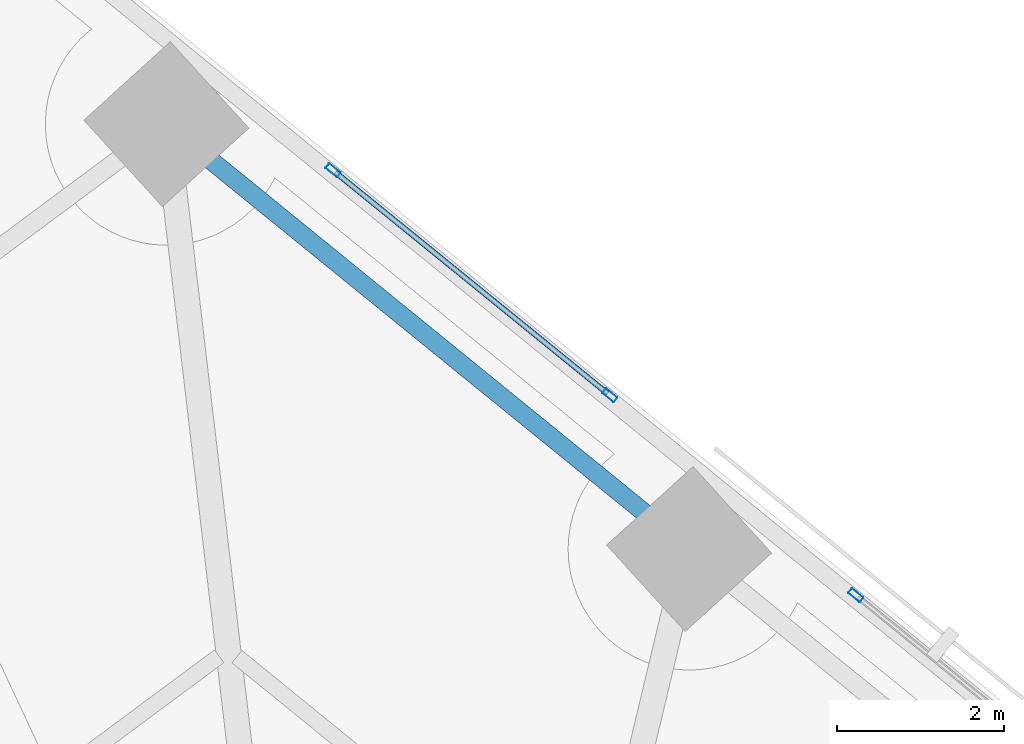
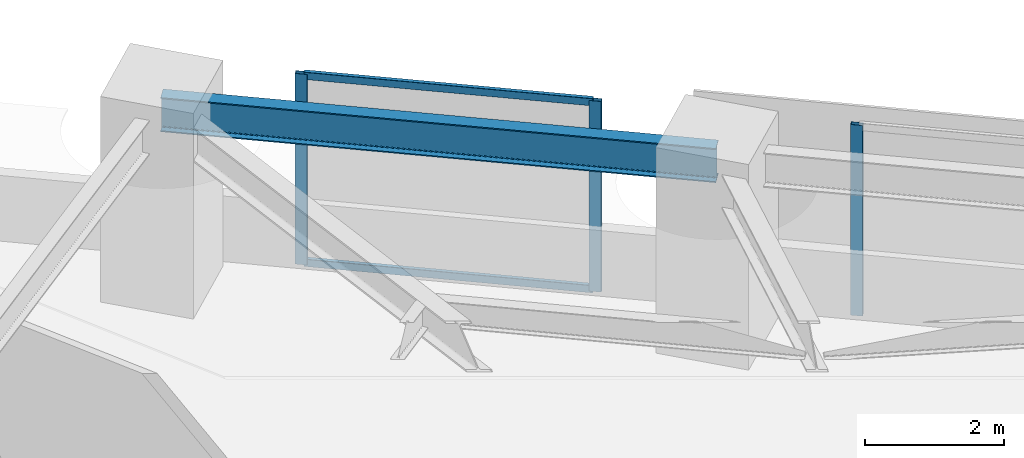
# One storey, part 9 of 17: 5 members, 1 beam, 2 elements without a shape of their own.
"""IFC4 building model written with IfcOpenShell, lengths in metres."""

from ifc_helpers import new_model, si_unit, direction, frame, origin, origin_2d, place, context, subcontext, project, spatial, hollow_rectangle, i_section, extrude, material, material_profile, profile_set, type_object, element, aggregate, save


model = new_model("IFC4")

# Units and contexts
model_context = context("Model", 3, precision=1e-05, world=origin(), true_north=direction((0.0, 1.0)))
body_context = subcontext(model_context, "Body", "Model", "MODEL_VIEW")
ifc_project = project(units=[si_unit("LENGTHUNIT", "METRE"), si_unit("AREAUNIT", "SQUARE_METRE"), si_unit("VOLUMEUNIT", "CUBIC_METRE"), si_unit("PLANEANGLEUNIT", "RADIAN"), si_unit("MASSUNIT", "GRAM", prefix="KILO")], contexts=[model_context])

# Site, building, storey
site_placement = place(None, origin())
site = spatial("IfcSite", under=ifc_project, at=site_placement, CompositionType="ELEMENT")
building_placement = place(site_placement, origin())
building = spatial("IfcBuilding", under=site, at=building_placement, Name="Narakoshi Arena Tower", CompositionType="ELEMENT")
storey_placement = place(building_placement, frame((0.0, 0.0, 33.89990234375)))
storey = spatial("IfcBuildingStorey", under=building, at=storey_placement, Name="L08", CompositionType="ELEMENT", Elevation=33.89990234375)

# Beam
ifc_material_1 = material(Name="Structural steel S355J2", Category="steel")
ifc_material_profile_1 = material_profile(ifc_material_1, i_section(OverallWidth=0.219970703125, OverallDepth=0.60009765625, WebThickness=0.011962890625, FlangeThickness=0.01904296875, FilletRadius=0.02392578125, at=origin_2d()), Name="IPE600")
ifc_profile_set_1 = profile_set([ifc_material_profile_1], Name="Structural steel S355J2")
beam_type = type_object("IfcBeamType", Name="BM-EDGE-600", PredefinedType="BEAM", material=ifc_profile_set_1)
beam_placement = place(storey_placement, frame((75.794189453125, 72.392333984375, 3.0400390625), z_axis=(-0.775993703931, 0.63074065309, 0.0), x_axis=(-0.63074065309, -0.775993703931, 0.0)))
element("IfcBeam", 1, at=beam_placement, inside=storey, type_object=beam_type, Name="L08 Perimeter Edge Girder 11", PredefinedType="BEAM", context=body_context, shape_type="SweptSolid", body=[
    extrude(i_section(OverallWidth=0.219970703125, OverallDepth=0.60009765625, WebThickness=0.011962890625, FlangeThickness=0.01904296875, FilletRadius=0.02392578125, at=origin_2d()), origin(), (0.0, 0.0, 1.0), 8.0712890625),
])

# Curtain wall, member
ifc_material_2 = material(Name="Anodised bronze aluminium 6063-T6", Category="aluminium")
curtain_wall_type = type_object("IfcCurtainWallType", Name="CW-HYP-LOW", PredefinedType="NOTDEFINED", material=ifc_material_2)
curtain_wall_1_placement = place(storey_placement, origin())
curtain_wall_1 = element("IfcCurtainWall", 2, at=curtain_wall_1_placement, inside=storey, type_object=curtain_wall_type, Name="L08 Folded Hypotenuse Curtain Wall 2-3", PredefinedType="NOTDEFINED")
ifc_material_profile_2 = material_profile(ifc_material_2, hollow_rectangle(XDim=0.074951171875, YDim=0.179931640625, WallThickness=0.00390625, OuterFilletRadius=0.0048828125, at=origin_2d()), Name="MUL180x75x4")
ifc_profile_set_2 = profile_set([ifc_material_profile_2], Name="Anodised bronze aluminium 6063-T6")
member_type_1 = type_object("IfcMemberType", Name="MEM-MUL-180", PredefinedType="MULLION", material=ifc_profile_set_2)
member_1_placement = place(storey_placement, frame((77.791015625, 71.8388671875, 0.0), z_axis=(0.0, 0.0, 1.0), x_axis=(-0.630722984816, -0.776008064665, 0.0)))
member_1 = element("IfcMember", 3, at=member_1_placement, type_object=member_type_1, Name="CW-01 mullion 2", PredefinedType="MULLION", context=body_context, shape_type="SweptSolid", body=[
    extrude(hollow_rectangle(XDim=0.074951171875, YDim=0.179931640625, WallThickness=0.00390625, OuterFilletRadius=0.0048828125, at=origin_2d()), origin(), (0.0, 0.0, 1.0), 3.340087890625),
])
aggregate(curtain_wall_1, [member_1])

# Curtain wall, members
curtain_wall_2_placement = place(storey_placement, origin())
curtain_wall_2 = element("IfcCurtainWall", 4, at=curtain_wall_2_placement, inside=storey, type_object=curtain_wall_type, Name="L08 Folded Hypotenuse Curtain Wall 2-4", PredefinedType="NOTDEFINED")
member_2_placement = place(storey_placement, frame((74.843994140625, 74.234130859375, 0.0), z_axis=(0.0, 0.0, 1.0), x_axis=(-0.630733728817, -0.775999332044, 0.0)))
member_2 = element("IfcMember", 5, at=member_2_placement, type_object=member_type_1, Name="CW-01 mullion 1", PredefinedType="MULLION", context=body_context, shape_type="SweptSolid", body=[
    extrude(hollow_rectangle(XDim=0.074951171875, YDim=0.179931640625, WallThickness=0.00390625, OuterFilletRadius=0.0048828125, at=origin_2d()), origin(), (0.0, 0.0, 1.0), 3.340087890625),
])
member_3_placement = place(storey_placement, frame((71.52783203125, 76.9296875, 0.0), z_axis=(0.0, 0.0, 1.0), x_axis=(-0.630733728817, -0.775999332044, 0.0)))
member_3 = element("IfcMember", 6, at=member_3_placement, type_object=member_type_1, Name="CW-01 mullion 2", PredefinedType="MULLION", context=body_context, shape_type="SweptSolid", body=[
    extrude(hollow_rectangle(XDim=0.074951171875, YDim=0.179931640625, WallThickness=0.00390625, OuterFilletRadius=0.0048828125, at=origin_2d()), origin(), (0.0, 0.0, 1.0), 3.340087890625),
])
ifc_material_profile_3 = material_profile(ifc_material_2, hollow_rectangle(XDim=0.06494140625, YDim=0.1298828125, WallThickness=0.00390625, OuterFilletRadius=0.0048828125, at=origin_2d()), Name="TRN130x65x4")
ifc_profile_set_3 = profile_set([ifc_material_profile_3], Name="Anodised bronze aluminium 6063-T6")
member_type_2 = type_object("IfcMemberType", Name="MEM-TRN-130", PredefinedType="USERDEFINED", material=ifc_profile_set_3)
member_4_placement = place(storey_placement, frame((74.81494140625, 74.2578125, 0.03271484375), z_axis=(-0.775994815564, 0.630739285457, 0.0), x_axis=(-0.630739285457, -0.775994815564, 0.0)))
member_4 = element("IfcMember", 7, at=member_4_placement, type_object=member_type_2, Name="CW-01 transom 1.1", ObjectType="TRANSOM", PredefinedType="USERDEFINED", context=body_context, shape_type="SweptSolid", body=[
    extrude(hollow_rectangle(XDim=0.06494140625, YDim=0.1298828125, WallThickness=0.00390625, OuterFilletRadius=0.0048828125, at=origin_2d()), origin(), (0.0, 0.0, 1.0), 4.198486328125),
])
member_5_placement = place(storey_placement, frame((74.81494140625, 74.2578125, 3.3076171875), z_axis=(-0.775994815564, 0.630739285457, 0.0), x_axis=(-0.630739285457, -0.775994815564, 0.0)))
member_5 = element("IfcMember", 8, at=member_5_placement, type_object=member_type_2, Name="CW-01 transom 1.2", ObjectType="TRANSOM", PredefinedType="USERDEFINED", context=body_context, shape_type="SweptSolid", body=[
    extrude(hollow_rectangle(XDim=0.06494140625, YDim=0.1298828125, WallThickness=0.00390625, OuterFilletRadius=0.0048828125, at=origin_2d()), origin(), (0.0, 0.0, 1.0), 4.198486328125),
])
aggregate(curtain_wall_2, [member_2, member_3, member_4, member_5])

save(model, "model.ifc")
